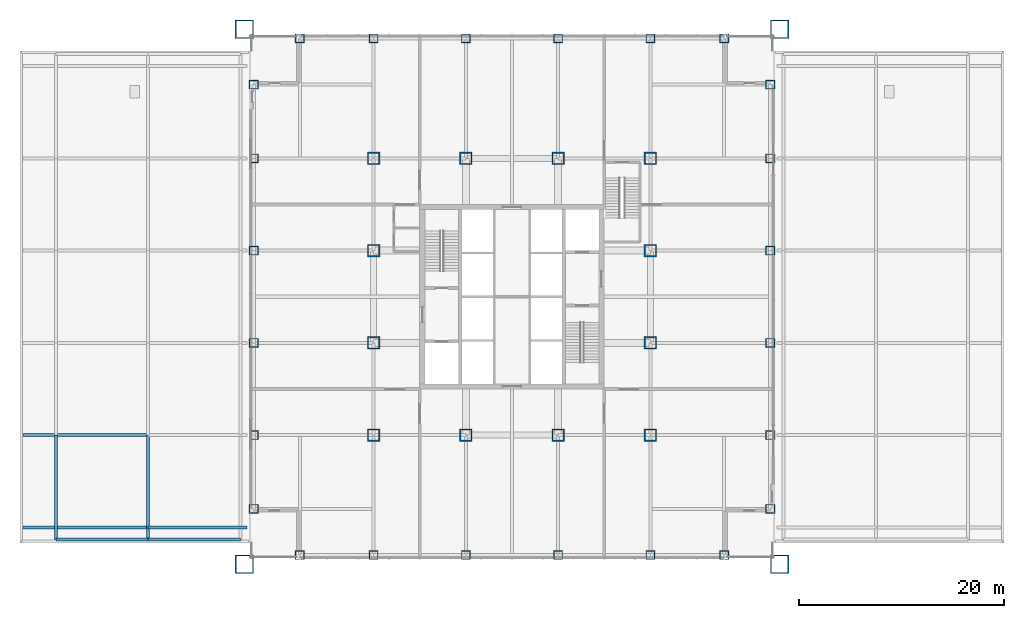
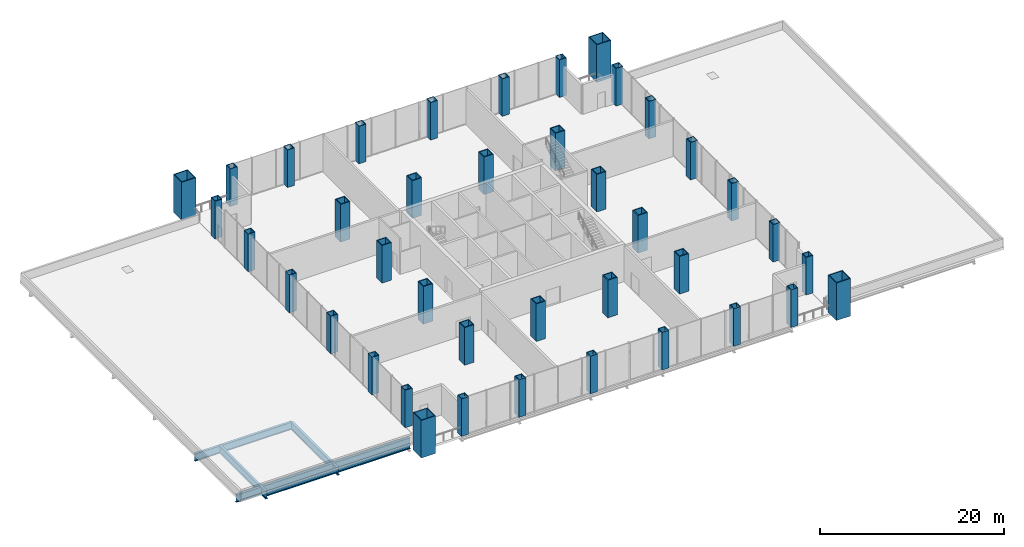
# One storey, part 1 of 16: 40 columns, 7 beams.
"""IFC4 building model written with IfcOpenShell, lengths in metres."""

from ifc_helpers import new_model, si_unit, direction, frame, origin, origin_2d, place, context, subcontext, project, spatial, hollow_rectangle, i_section, extrude, material, material_profile, profile_set, type_object, element, save


model = new_model("IFC4")

# Units and contexts
model_context = context("Model", 3, precision=1e-05, world=origin(), true_north=direction((0.0, 1.0)))
body_context = subcontext(model_context, "Body", "Model", "MODEL_VIEW")
ifc_project = project(units=[si_unit("LENGTHUNIT", "METRE"), si_unit("AREAUNIT", "SQUARE_METRE"), si_unit("VOLUMEUNIT", "CUBIC_METRE"), si_unit("PLANEANGLEUNIT", "RADIAN"), si_unit("MASSUNIT", "GRAM", prefix="KILO")], contexts=[model_context])

# Site, building, storey
site_placement = place(None, origin())
site = spatial("IfcSite", under=ifc_project, at=site_placement, CompositionType="ELEMENT")
building_placement = place(site_placement, origin())
building = spatial("IfcBuilding", under=site, at=building_placement, Name="Malebo Sky Hospital", CompositionType="ELEMENT")
storey_placement = place(building_placement, frame((0.0, 0.0, 26.0)))
storey = spatial("IfcBuildingStorey", under=building, at=storey_placement, Name="L05", CompositionType="ELEMENT", Elevation=26.0)

# Columns
ifc_material_1 = material(Name="Steel S460", Category="steel")
ifc_material_profile_1 = material_profile(ifc_material_1, hollow_rectangle(XDim=1.199951171875, YDim=1.199951171875, WallThickness=0.10009765625, at=origin_2d()), Name="BOX 1200x1200x100")
ifc_profile_set_1 = profile_set([ifc_material_profile_1], Name="Steel S460")
column_type_1 = type_object("IfcColumnType", Name="INNER COLUMN BOX 1200x1200x100", PredefinedType="COLUMN", material=ifc_profile_set_1)
for number, where, z_axis, x_axis, name in (
    (1, (46.5, 48.5, 0.0), (0.0, 0.0, 1.0), (1.0, 0.0, 0.0), "Column IC11 L05"),
    (2, (73.5, 48.5, 0.0), (0.0, 0.0, 1.0), (1.0, 0.0, 0.0), "Column IC11 L05"),
    (3, (73.5, 75.5, 0.0), (0.0, 0.0, 1.0), (1.0, 0.0, 0.0), "Column IC11 L05"),
    (4, (46.5, 75.5, 0.0), (0.0, 0.0, 1.0), (1.0, 0.0, 0.0), "Column IC11 L05"),
    (5, (55.5, 48.5, 0.0), (0.0, 0.0, 1.0), (1.0, 0.0, 0.0), "Column IC11 L05"),
    (6, (64.5, 48.5, 0.0), (0.0, 0.0, 1.0), (1.0, 0.0, 0.0), "Column IC11 L05"),
    (7, (55.5, 75.5, 0.0), (0.0, 0.0, 1.0), (1.0, 0.0, 0.0), "Column IC11 L05"),
    (8, (64.5, 75.5, 0.0), (0.0, 0.0, 1.0), (1.0, 0.0, 0.0), "Column IC11 L05"),
    (9, (46.5, 57.5, 0.0), (0.0, 0.0, 1.0), (1.0, 0.0, 0.0), "Column IC11 L05"),
    (10, (46.5, 66.5, 0.0), (0.0, 0.0, 1.0), (1.0, 0.0, 0.0), "Column IC11 L05"),
    (11, (73.5, 57.5, 0.0), (0.0, 0.0, 1.0), (1.0, 0.0, 0.0), "Column IC11 L05"),
    (12, (73.5, 66.5, 0.0), (0.0, 0.0, 1.0), (1.0, 0.0, 0.0), "Column IC11 L05"),
):
    element("IfcColumn", number, at=place(storey_placement, frame(where, z_axis=z_axis, x_axis=x_axis)), inside=storey, type_object=column_type_1, Name=name, PredefinedType="COLUMN", context=body_context, shape_type="SweptSolid", body=[
        extrude(hollow_rectangle(XDim=1.199951171875, YDim=1.199951171875, WallThickness=0.10009765625, at=origin_2d()), origin(), (0.0, 0.0, 1.0), 5.0),
    ])
ifc_material_profile_2 = material_profile(ifc_material_1, hollow_rectangle(XDim=1.800048828125, YDim=1.800048828125, WallThickness=0.10009765625, at=origin_2d()), Name="BOX 1800x1800x100")
ifc_profile_set_2 = profile_set([ifc_material_profile_2], Name="Steel S460")
column_type_2 = type_object("IfcColumnType", Name="MEGA COLUMN BOX 1800x1800x100", PredefinedType="COLUMN", material=ifc_profile_set_2)
for number, where, z_axis, x_axis, name in (
    (13, (33.89990234375, 35.89990234375, 0.0), (0.0, 0.0, 1.0), (1.0, 0.0, 0.0), "Mega column SW L05"),
    (14, (86.10009765625, 35.89990234375, 0.0), (0.0, 0.0, 1.0), (1.0, 0.0, 0.0), "Mega column SE L05"),
    (15, (86.10009765625, 88.10009765625, 0.0), (0.0, 0.0, 1.0), (1.0, 0.0, 0.0), "Mega column NE L05"),
    (16, (33.89990234375, 88.10009765625, 0.0), (0.0, 0.0, 1.0), (1.0, 0.0, 0.0), "Mega column NW L05"),
):
    element("IfcColumn", number, at=place(storey_placement, frame(where, z_axis=z_axis, x_axis=x_axis)), inside=storey, type_object=column_type_2, Name=name, PredefinedType="COLUMN", context=body_context, shape_type="SweptSolid", body=[
        extrude(hollow_rectangle(XDim=1.800048828125, YDim=1.800048828125, WallThickness=0.10009765625, at=origin_2d()), origin(), (0.0, 0.0, 1.0), 5.0),
    ])
ifc_material_profile_3 = material_profile(ifc_material_1, hollow_rectangle(XDim=0.89990234375, YDim=0.89990234375, WallThickness=0.080078125, at=origin_2d()), Name="BOX 900x900x80")
ifc_profile_set_3 = profile_set([ifc_material_profile_3], Name="Steel S460")
column_type_3 = type_object("IfcColumnType", Name="PERIMETER COLUMN BOX 900x900x80", PredefinedType="COLUMN", material=ifc_profile_set_3)
for number, where, z_axis, x_axis, name in (
    (17, (39.300048828125, 36.800048828125, 0.0), (0.0, 0.0, 1.0), (1.0, 0.0, 0.0), "Column PC8 L05"),
    (18, (39.300048828125, 87.199951171875, 0.0), (0.0, 0.0, 1.0), (1.0, 0.0, 0.0), "Column PC8 L05"),
    (19, (34.800048828125, 41.300048828125, 0.0), (0.0, 0.0, 1.0), (1.0, 0.0, 0.0), "Column PC8 L05"),
    (20, (85.199951171875, 41.300048828125, 0.0), (0.0, 0.0, 1.0), (1.0, 0.0, 0.0), "Column PC8 L05"),
    (21, (46.5, 36.800048828125, 0.0), (0.0, 0.0, 1.0), (1.0, 0.0, 0.0), "Column PC8 L05"),
    (22, (46.5, 87.199951171875, 0.0), (0.0, 0.0, 1.0), (1.0, 0.0, 0.0), "Column PC8 L05"),
    (23, (34.800048828125, 48.5, 0.0), (0.0, 0.0, 1.0), (1.0, 0.0, 0.0), "Column PC8 L05"),
    (24, (85.199951171875, 48.5, 0.0), (0.0, 0.0, 1.0), (1.0, 0.0, 0.0), "Column PC8 L05"),
    (25, (55.5, 36.800048828125, 0.0), (0.0, 0.0, 1.0), (1.0, 0.0, 0.0), "Column PC8 L05"),
    (26, (55.5, 87.199951171875, 0.0), (0.0, 0.0, 1.0), (1.0, 0.0, 0.0), "Column PC8 L05"),
    (27, (34.800048828125, 57.5, 0.0), (0.0, 0.0, 1.0), (1.0, 0.0, 0.0), "Column PC8 L05"),
    (28, (85.199951171875, 57.5, 0.0), (0.0, 0.0, 1.0), (1.0, 0.0, 0.0), "Column PC8 L05"),
    (29, (64.5, 36.800048828125, 0.0), (0.0, 0.0, 1.0), (1.0, 0.0, 0.0), "Column PC8 L05"),
    (30, (64.5, 87.199951171875, 0.0), (0.0, 0.0, 1.0), (1.0, 0.0, 0.0), "Column PC8 L05"),
    (31, (34.800048828125, 66.5, 0.0), (0.0, 0.0, 1.0), (1.0, 0.0, 0.0), "Column PC8 L05"),
    (32, (85.199951171875, 66.5, 0.0), (0.0, 0.0, 1.0), (1.0, 0.0, 0.0), "Column PC8 L05"),
    (33, (73.5, 36.800048828125, 0.0), (0.0, 0.0, 1.0), (1.0, 0.0, 0.0), "Column PC8 L05"),
    (34, (73.5, 87.199951171875, 0.0), (0.0, 0.0, 1.0), (1.0, 0.0, 0.0), "Column PC8 L05"),
    (35, (34.800048828125, 75.5, 0.0), (0.0, 0.0, 1.0), (1.0, 0.0, 0.0), "Column PC8 L05"),
    (36, (85.199951171875, 75.5, 0.0), (0.0, 0.0, 1.0), (1.0, 0.0, 0.0), "Column PC8 L05"),
    (37, (80.699951171875, 36.800048828125, 0.0), (0.0, 0.0, 1.0), (1.0, 0.0, 0.0), "Column PC8 L05"),
    (38, (80.699951171875, 87.199951171875, 0.0), (0.0, 0.0, 1.0), (1.0, 0.0, 0.0), "Column PC8 L05"),
    (39, (34.800048828125, 82.699951171875, 0.0), (0.0, 0.0, 1.0), (1.0, 0.0, 0.0), "Column PC8 L05"),
    (40, (85.199951171875, 82.699951171875, 0.0), (0.0, 0.0, 1.0), (1.0, 0.0, 0.0), "Column PC8 L05"),
):
    element("IfcColumn", number, at=place(storey_placement, frame(where, z_axis=z_axis, x_axis=x_axis)), inside=storey, type_object=column_type_3, Name=name, PredefinedType="COLUMN", context=body_context, shape_type="SweptSolid", body=[
        extrude(hollow_rectangle(XDim=0.89990234375, YDim=0.89990234375, WallThickness=0.080078125, at=origin_2d()), origin(), (0.0, 0.0, 1.0), 5.0),
    ])

# Beams
ifc_material_2 = material(Name="Steel S355", Category="steel")
ifc_material_profile_4 = material_profile(ifc_material_2, i_section(OverallWidth=0.305908203125, OverallDepth=0.52392578125, WebThickness=0.02099609375, FlangeThickness=0.0400390625, FilletRadius=0.027099609375, at=origin_2d()), Name="HEM 500")
ifc_profile_set_4 = profile_set([ifc_material_profile_4], Name="Steel S355")
beam_type_1 = type_object("IfcBeamType", Name="EDGE BEAM HEM 500", PredefinedType="BEAM", material=ifc_profile_set_4)
for number, where, z_axis, x_axis, name in (
    (41, (15.5, 38.300048828125, -0.56201171875), (1.0, 0.0, 0.0), (0.0, 1.0, 0.0), "Beam W028 L05"),
    (42, (24.5, 38.300048828125, -0.56201171875), (1.0, 0.0, 0.0), (0.0, 1.0, 0.0), "Beam W029 L05"),
):
    element("IfcBeam", number, at=place(storey_placement, frame(where, z_axis=z_axis, x_axis=x_axis)), inside=storey, type_object=beam_type_1, Name=name, PredefinedType="BEAM", context=body_context, shape_type="SweptSolid", body=[
        extrude(i_section(OverallWidth=0.305908203125, OverallDepth=0.52392578125, WebThickness=0.02099609375, FlangeThickness=0.0400390625, FilletRadius=0.027099609375, at=origin_2d()), origin(), (0.0, 0.0, 1.0), 9.0),
    ])
ifc_material_profile_5 = material_profile(ifc_material_2, i_section(OverallWidth=0.300048828125, OverallDepth=1.0, WebThickness=0.01904296875, FlangeThickness=0.035888671875, FilletRadius=0.030029296875, at=origin_2d()), Name="HEB 1000")
ifc_profile_set_5 = profile_set([ifc_material_profile_5], Name="Steel S355")
beam_type_2 = type_object("IfcBeamType", Name="FLOOR BEAM HEB 1000", PredefinedType="BEAM", material=ifc_profile_set_5)
for number, where, z_axis, x_axis, name in (
    (43, (15.5, 38.300048828125, -0.800048828125), (0.0, 1.0, 0.0), (-1.0, 0.0, 0.0), "Beam W001 L05"),
    (44, (24.5, 38.300048828125, -0.800048828125), (0.0, 1.0, 0.0), (-1.0, 0.0, 0.0), "Beam W006 L05"),
):
    element("IfcBeam", number, at=place(storey_placement, frame(where, z_axis=z_axis, x_axis=x_axis)), inside=storey, type_object=beam_type_2, Name=name, PredefinedType="BEAM", context=body_context, shape_type="SweptSolid", body=[
        extrude(i_section(OverallWidth=0.300048828125, OverallDepth=1.0, WebThickness=0.01904296875, FlangeThickness=0.035888671875, FilletRadius=0.030029296875, at=origin_2d()), origin(), (0.0, 0.0, 1.0), 10.199951171875),
    ])
beam_1_placement = place(storey_placement, frame((12.300048828125, 39.5, -0.800048828125), z_axis=(1.0, 0.0, 0.0), x_axis=(0.0, 1.0, 0.0)))
element("IfcBeam", 45, at=beam_1_placement, inside=storey, type_object=beam_type_2, Name="Beam W016 L05", PredefinedType="BEAM", context=body_context, shape_type="SweptSolid", body=[
    extrude(i_section(OverallWidth=0.300048828125, OverallDepth=1.0, WebThickness=0.01904296875, FlangeThickness=0.035888671875, FilletRadius=0.030029296875, at=origin_2d()), origin(), (0.0, 0.0, 1.0), 12.199951171875),
])
beam_2_placement = place(storey_placement, frame((24.5, 39.5, -0.800048828125), z_axis=(1.0, 0.0, 0.0), x_axis=(0.0, 1.0, 0.0)))
element("IfcBeam", 46, at=beam_2_placement, inside=storey, type_object=beam_type_2, Name="Beam W017 L05", PredefinedType="BEAM", context=body_context, shape_type="SweptSolid", body=[
    extrude(i_section(OverallWidth=0.300048828125, OverallDepth=1.0, WebThickness=0.01904296875, FlangeThickness=0.035888671875, FilletRadius=0.030029296875, at=origin_2d()), origin(), (0.0, 0.0, 1.0), 9.64990234375),
])
beam_3_placement = place(storey_placement, frame((12.300048828125, 48.5, -0.800048828125), z_axis=(1.0, 0.0, 0.0), x_axis=(0.0, 1.0, 0.0)))
element("IfcBeam", 47, at=beam_3_placement, inside=storey, type_object=beam_type_2, Name="Beam W018 L05", PredefinedType="BEAM", context=body_context, shape_type="SweptSolid", body=[
    extrude(i_section(OverallWidth=0.300048828125, OverallDepth=1.0, WebThickness=0.01904296875, FlangeThickness=0.035888671875, FilletRadius=0.030029296875, at=origin_2d()), origin(), (0.0, 0.0, 1.0), 12.199951171875),
])

save(model, "model.ifc")
